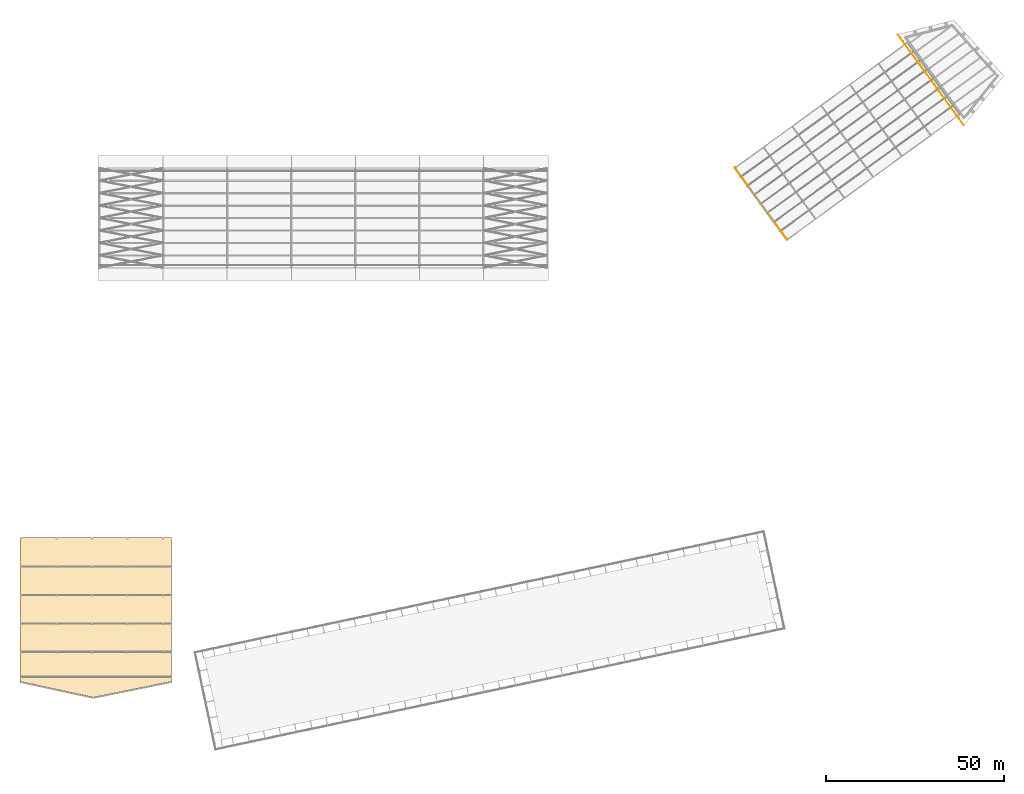
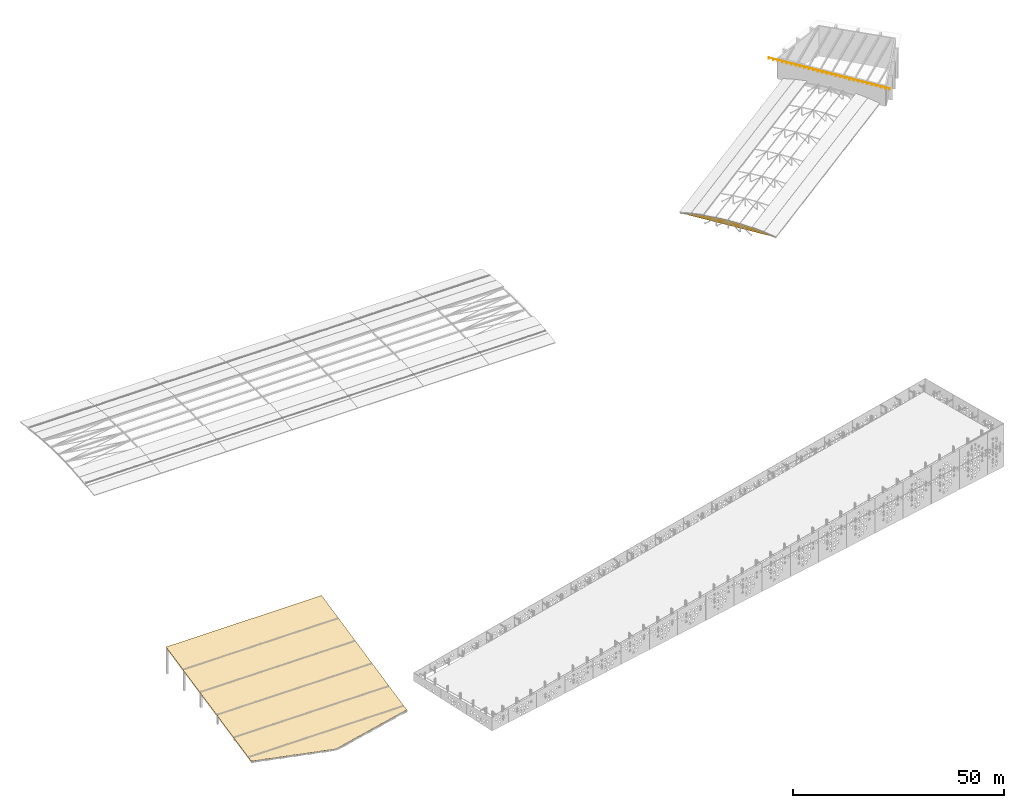
# One storey, part 41 of 41: 2 coverings, 1 railing.
"""IFC4 building model written with IfcOpenShell, lengths in metres."""

from ifc_helpers import new_model, si_unit, direction, frame, origin, origin_2d, place, context, subcontext, project, spatial, polyline, circle, outline, extrude, material, layer, layer_set, type_object, element, save


model = new_model("IFC4")

# Units and contexts
model_context = context("Model", 3, precision=1e-05, world=origin(), true_north=direction((0.0, 1.0)))
body_context = subcontext(model_context, "Body", "Model", "MODEL_VIEW")
ifc_project = project(units=[si_unit("LENGTHUNIT", "METRE"), si_unit("AREAUNIT", "SQUARE_METRE"), si_unit("VOLUMEUNIT", "CUBIC_METRE"), si_unit("PLANEANGLEUNIT", "RADIAN"), si_unit("MASSUNIT", "GRAM", prefix="KILO")], contexts=[model_context])

# Site, building, storey
site_placement = place(None, origin())
site = spatial("IfcSite", under=ifc_project, at=site_placement, CompositionType="ELEMENT")
building_placement = place(site_placement, origin())
building = spatial("IfcBuilding", under=site, at=building_placement, Name="Okhra Congress Centre", CompositionType="ELEMENT")
storey_placement = place(building_placement, frame((0.0, 0.0, 21.60009765625)))
storey = spatial("IfcBuildingStorey", under=building, at=storey_placement, Name="ROOF", CompositionType="ELEMENT", Elevation=21.60009765625)

# Coverings
ifc_material_1 = material(Name="Aluminium composite cladding panel", Category="aluminium")
ifc_layer_1 = layer(ifc_material_1, 0.050048828125)
ifc_layer_set_1 = layer_set([ifc_layer_1], Name="Gable cladding sheet 50")
covering_type_1 = type_object("IfcCoveringType", Name="Gable cladding sheet 50", PredefinedType="CLADDING", material=ifc_layer_set_1)
covering_1_placement = place(storey_placement, frame((221.473876953125, 167.898681640625, 0.0), z_axis=(0.0, 0.0, 1.0), x_axis=(-0.587784498331, 0.809017542159, 0.0)))
element("IfcCovering", 1, at=covering_1_placement, inside=storey, type_object=covering_type_1, Name="Plenary gable cladding", PredefinedType="CLADDING", context=body_context, shape_type="SweptSolid", body=[
    extrude(outline(polyline([(0.0, 0.0), (25.123291015625, 0.0), (25.014892578125, 0.029052734375), (21.938720703125, 0.664306640625), (18.830810546875, 1.119384765625), (15.701416015625, 1.393310546875), (12.561767578125, 1.484619140625), (9.421875, 1.393310546875), (6.292724609375, 1.119384765625), (3.1845703125, 0.664306640625), (0.1083984375, 0.029052734375), (0.0, 0.0)])), frame((0.0, 0.02490234375, 0.0), z_axis=(0.0, -1.0, 0.0), x_axis=(1.0, 0.0, 0.0)), (0.0, 0.0, 1.0), 0.050048828125),
])
ifc_material_2 = material(Name="Titanium-zinc standing-seam sheet on vapour-open underlay and timber boarding", Category="wood")
ifc_layer_2 = layer(ifc_material_2, 0.050048828125)
ifc_layer_set_2 = layer_set([ifc_layer_2], Name="Standing-seam zinc roofing 50")
covering_type_2 = type_object("IfcCoveringType", Name="Standing-seam zinc roofing 50", PredefinedType="ROOFING", material=ifc_layer_set_2)
covering_2_placement = place(storey_placement, frame((5.77490234375, 43.77490234375, -0.948974609375), z_axis=(0.0, -0.207910641884, 0.978147823691), x_axis=(0.976272250376, -0.211814728197, -0.045022372931)))
element("IfcCovering", 2, at=covering_2_placement, inside=storey, type_object=covering_type_2, Name="Standing-seam roofing", PredefinedType="ROOFING", context=body_context, shape_type="SweptSolid", body=[
    extrude(outline(polyline([(0.0, 0.0), (21.126279060019122, 0.0), (41.61360467228461, 9.23030504256566), (32.65855966884867, 49.602936377826325), (-8.955045003435943, 40.372631335260664), (0.0, 0.0)])), origin(), (0.0, 0.0, -1.0), 0.050048828125),
])

# Railing
ifc_material_3 = material(Name="Painted steel tube guard with vertical steel balusters", Category="steel")
railing_type = type_object("IfcRailingType", Name="Steel guard 400", PredefinedType="GUARDRAIL", material=ifc_material_3)
railing_placement = place(storey_placement, frame((271.01513671875, 200.11279296875, 5.926025390625)))
element("IfcRailing", 3, at=railing_placement, inside=storey, type_object=railing_type, Name="Stage house snow guard", PredefinedType="GUARDRAIL", context=body_context, shape_type="SweptSolid", body=[
    extrude(circle(Radius=0.02392578125, at=origin_2d()), frame((0.0, 0.0, 0.3759765625), z_axis=(-0.587789081259, 0.809014212454, 0.0), x_axis=(-0.809014212454, -0.587789081259, 0.0)), (0.0, 0.0, 1.0), 31.457763671875),
    extrude(circle(Radius=0.02099609375, at=origin_2d()), origin(), (0.0, 0.0, 1.0), 0.351806640625),
    extrude(circle(Radius=0.02099609375, at=origin_2d()), frame((-0.684814453125, 0.942626953125, 0.0)), (0.0, 0.0, 1.0), 0.351806640625),
    extrude(circle(Radius=0.02099609375, at=origin_2d()), frame((-1.36962890625, 1.88525390625, 0.0)), (0.0, 0.0, 1.0), 0.351806640625),
    extrude(circle(Radius=0.02099609375, at=origin_2d()), frame((-2.054443359375, 2.82763671875, 0.0)), (0.0, 0.0, 1.0), 0.351806640625),
    extrude(circle(Radius=0.02099609375, at=origin_2d()), frame((-2.7392578125, 3.770263671875, 0.0)), (0.0, 0.0, 1.0), 0.351806640625),
    extrude(circle(Radius=0.02099609375, at=origin_2d()), frame((-3.424072265625, 4.712890625, 0.0)), (0.0, 0.0, 1.0), 0.351806640625),
    extrude(circle(Radius=0.02099609375, at=origin_2d()), frame((-4.10888671875, 5.655517578125, 0.0)), (0.0, 0.0, 1.0), 0.351806640625),
    extrude(circle(Radius=0.02099609375, at=origin_2d()), frame((-4.7939453125, 6.59814453125, 0.0)), (0.0, 0.0, 1.0), 0.351806640625),
    extrude(circle(Radius=0.02099609375, at=origin_2d()), frame((-5.478759765625, 7.540771484375, 0.0)), (0.0, 0.0, 1.0), 0.351806640625),
    extrude(circle(Radius=0.02099609375, at=origin_2d()), frame((-6.16357421875, 8.483154296875, 0.0)), (0.0, 0.0, 1.0), 0.351806640625),
    extrude(circle(Radius=0.02099609375, at=origin_2d()), frame((-6.848388671875, 9.42578125, 0.0)), (0.0, 0.0, 1.0), 0.351806640625),
    extrude(circle(Radius=0.02099609375, at=origin_2d()), frame((-7.533203125, 10.368408203125, 0.0)), (0.0, 0.0, 1.0), 0.351806640625),
    extrude(circle(Radius=0.02099609375, at=origin_2d()), frame((-8.218017578125, 11.31103515625, 0.0)), (0.0, 0.0, 1.0), 0.351806640625),
    extrude(circle(Radius=0.02099609375, at=origin_2d()), frame((-8.90283203125, 12.253662109375, 0.0)), (0.0, 0.0, 1.0), 0.351806640625),
    extrude(circle(Radius=0.02099609375, at=origin_2d()), frame((-9.587646484375, 13.196044921875, 0.0)), (0.0, 0.0, 1.0), 0.351806640625),
    extrude(circle(Radius=0.02099609375, at=origin_2d()), frame((-10.2724609375, 14.138671875, 0.0)), (0.0, 0.0, 1.0), 0.351806640625),
    extrude(circle(Radius=0.02099609375, at=origin_2d()), frame((-10.957275390625, 15.081298828125, 0.0)), (0.0, 0.0, 1.0), 0.351806640625),
    extrude(circle(Radius=0.02099609375, at=origin_2d()), frame((-11.64208984375, 16.02392578125, 0.0)), (0.0, 0.0, 1.0), 0.351806640625),
    extrude(circle(Radius=0.02099609375, at=origin_2d()), frame((-12.326904296875, 16.966552734375, 0.0)), (0.0, 0.0, 1.0), 0.351806640625),
    extrude(circle(Radius=0.02099609375, at=origin_2d()), frame((-13.01171875, 17.908935546875, 0.0)), (0.0, 0.0, 1.0), 0.351806640625),
    extrude(circle(Radius=0.02099609375, at=origin_2d()), frame((-13.696533203125, 18.8515625, 0.0)), (0.0, 0.0, 1.0), 0.351806640625),
    extrude(circle(Radius=0.02099609375, at=origin_2d()), frame((-14.381591796875, 19.794189453125, 0.0)), (0.0, 0.0, 1.0), 0.351806640625),
    extrude(circle(Radius=0.02099609375, at=origin_2d()), frame((-15.06640625, 20.73681640625, 0.0)), (0.0, 0.0, 1.0), 0.351806640625),
    extrude(circle(Radius=0.02099609375, at=origin_2d()), frame((-15.751220703125, 21.679443359375, 0.0)), (0.0, 0.0, 1.0), 0.351806640625),
    extrude(circle(Radius=0.02099609375, at=origin_2d()), frame((-16.43603515625, 22.6220703125, 0.0)), (0.0, 0.0, 1.0), 0.351806640625),
    extrude(circle(Radius=0.02099609375, at=origin_2d()), frame((-17.120849609375, 23.564453125, 0.0)), (0.0, 0.0, 1.0), 0.351806640625),
    extrude(circle(Radius=0.02099609375, at=origin_2d()), frame((-17.8056640625, 24.507080078125, 0.0)), (0.0, 0.0, 1.0), 0.351806640625),
    extrude(circle(Radius=0.02099609375, at=origin_2d()), frame((-18.490478515625, 25.44970703125, 0.0)), (0.0, 0.0, 1.0), 0.351806640625),
])

save(model, "model.ifc")
